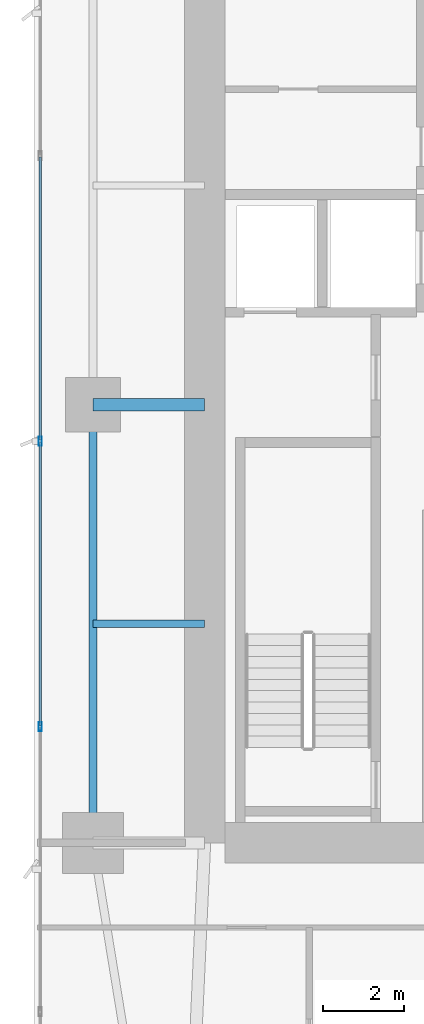
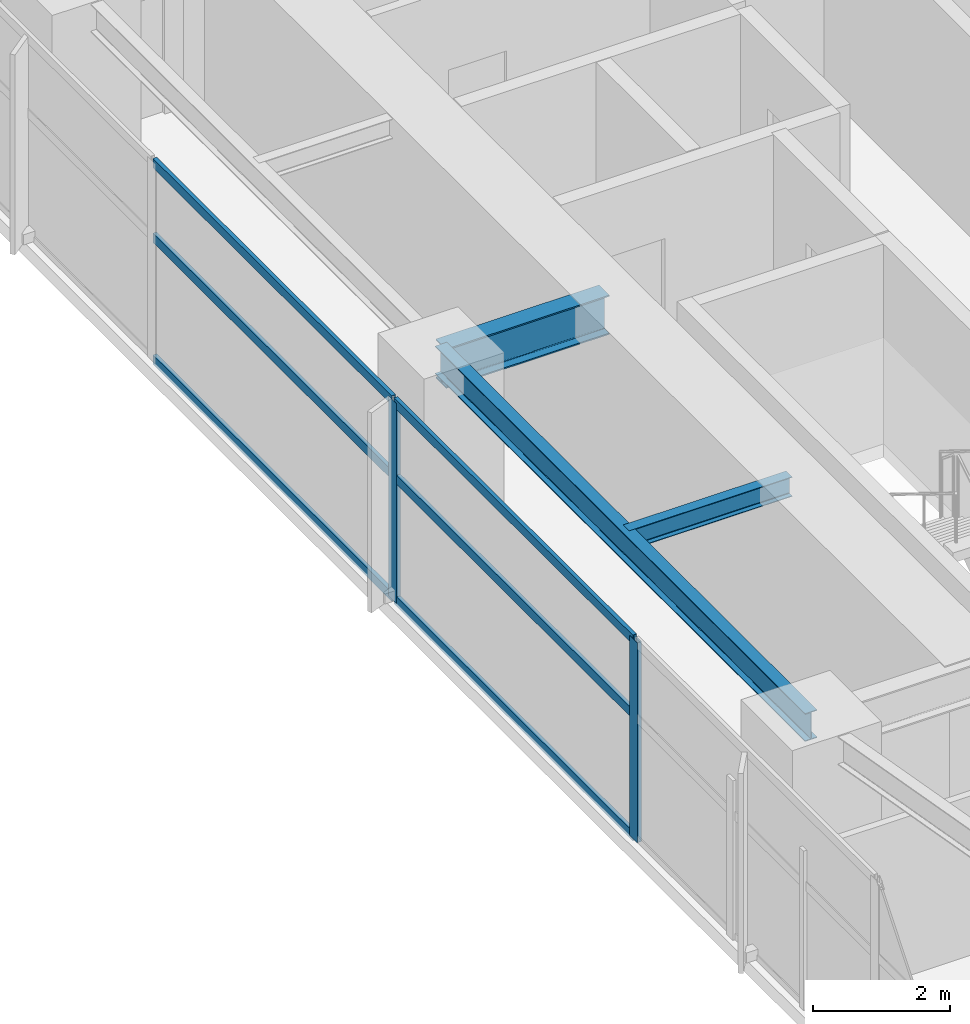
# One storey, part 8 of 29: 8 members, 3 beams, 1 element without a shape of its own.
"""IFC4 building model written with IfcOpenShell, lengths in metres."""

from ifc_helpers import new_model, si_unit, direction, frame, origin, origin_2d, place, context, subcontext, project, spatial, hollow_rectangle, i_section, extrude, material, layer, layer_set, material_profile, profile_set, type_object, element, aggregate, save


model = new_model("IFC4")

# Units and contexts
model_context = context("Model", 3, precision=1e-05, world=origin(), true_north=direction((0.0, 1.0)))
body_context = subcontext(model_context, "Body", "Model", "MODEL_VIEW")
ifc_project = project(units=[si_unit("LENGTHUNIT", "METRE"), si_unit("AREAUNIT", "SQUARE_METRE"), si_unit("VOLUMEUNIT", "CUBIC_METRE"), si_unit("PLANEANGLEUNIT", "RADIAN"), si_unit("MASSUNIT", "GRAM", prefix="KILO")], contexts=[model_context])

# Site, building, storey
site_placement = place(None, origin())
site = spatial("IfcSite", under=ifc_project, at=site_placement, CompositionType="ELEMENT")
building_placement = place(site_placement, origin())
building = spatial("IfcBuilding", under=site, at=building_placement, Name="Calvorn Quay Hotel", CompositionType="ELEMENT")
storey_placement = place(building_placement, frame((0.0, 0.0, 66.0)))
storey = spatial("IfcBuildingStorey", under=building, at=storey_placement, Name="L15", CompositionType="ELEMENT", Elevation=66.0)

# Beams
ifc_material_1 = material(Name="Steel Q390GJC", Category="steel")
ifc_material_profile_1 = material_profile(ifc_material_1, i_section(OverallWidth=0.300048828125, OverallDepth=0.699951171875, WebThickness=0.012939453125, FlangeThickness=0.02392578125, FilletRadius=0.02392578125, at=origin_2d()), Name="HN700x300x13x24")
ifc_profile_set_1 = profile_set([ifc_material_profile_1], Name="Steel Q390GJC")
beam_type_1 = type_object("IfcBeamType", Name="BM-GIRD-MAIN", PredefinedType="BEAM", material=ifc_profile_set_1)
beam_1_placement = place(storey_placement, frame((1.449951171875, 27.60009765625, 3.18994140625), z_axis=(1.0, 0.0, 0.0), x_axis=(0.0, 1.0, 0.0)))
element("IfcBeam", 1, at=beam_1_placement, inside=storey, type_object=beam_type_1, Name="Beam BG-L15-W2", PredefinedType="BEAM", context=body_context, shape_type="SweptSolid", body=[
    extrude(i_section(OverallWidth=0.300048828125, OverallDepth=0.699951171875, WebThickness=0.012939453125, FlangeThickness=0.02392578125, FilletRadius=0.02392578125, at=origin_2d()), origin(), (0.0, 0.0, 1.0), 2.75),
])
ifc_material_2 = material(Name="Steel Q355B", Category="steel")
ifc_material_profile_2 = material_profile(ifc_material_2, i_section(OverallWidth=0.175048828125, OverallDepth=0.35009765625, WebThickness=0.007080078125, FlangeThickness=0.010986328125, FilletRadius=0.013916015625, at=origin_2d()), Name="HN350x175x7x11")
ifc_profile_set_2 = profile_set([ifc_material_profile_2], Name="Steel Q355B")
beam_type_2 = type_object("IfcBeamType", Name="BM-JOIST-SEC", PredefinedType="JOIST", material=ifc_profile_set_2)
beam_2_placement = place(storey_placement, frame((1.449951171875, 22.199951171875, 3.364990234375), z_axis=(1.0, 0.0, 0.0), x_axis=(0.0, 1.0, 0.0)))
element("IfcBeam", 2, at=beam_2_placement, inside=storey, type_object=beam_type_2, Name="Beam BJ-L15-W3", PredefinedType="JOIST", context=body_context, shape_type="SweptSolid", body=[
    extrude(i_section(OverallWidth=0.175048828125, OverallDepth=0.35009765625, WebThickness=0.007080078125, FlangeThickness=0.010986328125, FilletRadius=0.013916015625, at=origin_2d()), origin(), (0.0, 0.0, 1.0), 2.75),
])
ifc_material_3 = material(Name="Steel Q355B", Category="steel")
ifc_material_profile_3 = material_profile(ifc_material_3, i_section(OverallWidth=0.199951171875, OverallDepth=0.5, WebThickness=0.010009765625, FlangeThickness=0.01611328125, FilletRadius=0.01611328125, at=origin_2d()), Name="HN500x200x10x16")
ifc_profile_set_3 = profile_set([ifc_material_profile_3], Name="Steel Q355B")
beam_type_3 = type_object("IfcBeamType", Name="BM-SPANDREL-Z1", PredefinedType="SPANDREL", material=ifc_profile_set_3)
beam_3_placement = place(storey_placement, frame((1.449951171875, 16.800048828125, 3.2900390625), z_axis=(0.0, 1.0, 0.0), x_axis=(-1.0, 0.0, 0.0)))
element("IfcBeam", 3, at=beam_3_placement, inside=storey, type_object=beam_type_3, Name="Beam BSP-L15-W2", PredefinedType="SPANDREL", context=body_context, shape_type="SweptSolid", body=[
    extrude(i_section(OverallWidth=0.199951171875, OverallDepth=0.5, WebThickness=0.010009765625, FlangeThickness=0.01611328125, FilletRadius=0.01611328125, at=origin_2d()), origin(), (0.0, 0.0, 1.0), 10.800048828125),
])

# Curtain wall, members
ifc_material_4 = material(Name="Pale Anodised Aluminium and Low-E Glass", Category="aluminium")
ifc_layer = layer(ifc_material_4, 0.219970703125)
ifc_layer_set = layer_set([ifc_layer], Name="CW-SYS-Z1")
curtain_wall_type = type_object("IfcCurtainWallType", Name="CW-SYS-Z1", PredefinedType="NOTDEFINED", material=ifc_layer_set)
curtain_wall_placement = place(storey_placement, origin())
curtain_wall = element("IfcCurtainWall", 4, at=curtain_wall_placement, inside=storey, type_object=curtain_wall_type, Name="Tower West Curtain Wall (L15)", PredefinedType="NOTDEFINED")
ifc_material_5 = material(Name="Pale Anodised Aluminium 6063-T6", Category="aluminium")
ifc_material_profile_4 = material_profile(ifc_material_5, hollow_rectangle(XDim=0.074951171875, YDim=0.219970703125, WallThickness=0.00439453125, at=origin_2d()), Name="ALU-M220x75x4.5")
ifc_profile_set_4 = profile_set([ifc_material_profile_4], Name="Pale Anodised Aluminium 6063-T6")
member_type_1 = type_object("IfcMemberType", Name="CW-SYS-Z1-MUL", PredefinedType="MULLION", material=ifc_profile_set_4)
member_1_placement = place(storey_placement, frame((0.14990234375, 19.666748046875, 0.0), z_axis=(0.0, 0.0, 1.0), x_axis=(-1.0, 0.0, 0.0)))
member_1 = element("IfcMember", 5, at=member_1_placement, type_object=member_type_1, Name="CW-L15-W mullion 3", PredefinedType="MULLION", context=body_context, shape_type="SweptSolid", body=[
    extrude(hollow_rectangle(XDim=0.074951171875, YDim=0.219970703125, WallThickness=0.00439453125, at=origin_2d()), origin(), (0.0, 0.0, 1.0), 3.56005859375),
])
member_2_placement = place(storey_placement, frame((0.14990234375, 26.699951171875, 0.0), z_axis=(0.0, 0.0, 1.0), x_axis=(-1.0, 0.0, 0.0)))
member_2 = element("IfcMember", 6, at=member_2_placement, type_object=member_type_1, Name="CW-L15-W mullion 4", PredefinedType="MULLION", context=body_context, shape_type="SweptSolid", body=[
    extrude(hollow_rectangle(XDim=0.074951171875, YDim=0.219970703125, WallThickness=0.00439453125, at=origin_2d()), origin(), (0.0, 0.0, 1.0), 3.56005859375),
])
ifc_material_6 = material(Name="Pale Anodised Aluminium 6063-T6", Category="aluminium")
ifc_material_profile_5 = material_profile(ifc_material_6, hollow_rectangle(XDim=0.06494140625, YDim=0.1650390625, WallThickness=0.00341796875, at=origin_2d()), Name="ALU-T165x65x3.5")
ifc_profile_set_5 = profile_set([ifc_material_profile_5], Name="Pale Anodised Aluminium 6063-T6")
member_type_2 = type_object("IfcMemberType", Name="CW-SYS-Z1-TRN", PredefinedType="USERDEFINED", material=ifc_profile_set_5)
member_3_placement = place(storey_placement, frame((0.14990234375, 19.69677734375, 0.030029296875), z_axis=(0.0, 1.0, 0.0), x_axis=(-1.0, 0.0, 0.0)))
member_3 = element("IfcMember", 7, at=member_3_placement, type_object=member_type_2, Name="CW-L15-W transom 3.1", ObjectType="TRANSOM", PredefinedType="USERDEFINED", context=body_context, shape_type="SweptSolid", body=[
    extrude(hollow_rectangle(XDim=0.06494140625, YDim=0.1650390625, WallThickness=0.00341796875, at=origin_2d()), origin(), (0.0, 0.0, 1.0), 6.97314453125),
])
member_4_placement = place(storey_placement, frame((0.14990234375, 19.69677734375, 2.199951171875), z_axis=(0.0, 1.0, 0.0), x_axis=(-1.0, 0.0, 0.0)))
member_4 = element("IfcMember", 8, at=member_4_placement, type_object=member_type_2, Name="CW-L15-W transom 3.2", ObjectType="TRANSOM", PredefinedType="USERDEFINED", context=body_context, shape_type="SweptSolid", body=[
    extrude(hollow_rectangle(XDim=0.06494140625, YDim=0.1650390625, WallThickness=0.00341796875, at=origin_2d()), origin(), (0.0, 0.0, 1.0), 6.97314453125),
])
member_5_placement = place(storey_placement, frame((0.14990234375, 19.69677734375, 3.530029296875), z_axis=(0.0, 1.0, 0.0), x_axis=(-1.0, 0.0, 0.0)))
member_5 = element("IfcMember", 9, at=member_5_placement, type_object=member_type_2, Name="CW-L15-W transom 3.3", ObjectType="TRANSOM", PredefinedType="USERDEFINED", context=body_context, shape_type="SweptSolid", body=[
    extrude(hollow_rectangle(XDim=0.06494140625, YDim=0.1650390625, WallThickness=0.00341796875, at=origin_2d()), origin(), (0.0, 0.0, 1.0), 6.97314453125),
])
member_6_placement = place(storey_placement, frame((0.14990234375, 26.72998046875, 0.030029296875), z_axis=(0.0, 1.0, 0.0), x_axis=(-1.0, 0.0, 0.0)))
member_6 = element("IfcMember", 10, at=member_6_placement, type_object=member_type_2, Name="CW-L15-W transom 4.1", ObjectType="TRANSOM", PredefinedType="USERDEFINED", context=body_context, shape_type="SweptSolid", body=[
    extrude(hollow_rectangle(XDim=0.06494140625, YDim=0.1650390625, WallThickness=0.00341796875, at=origin_2d()), origin(), (0.0, 0.0, 1.0), 6.973388671875),
])
member_7_placement = place(storey_placement, frame((0.14990234375, 26.72998046875, 2.199951171875), z_axis=(0.0, 1.0, 0.0), x_axis=(-1.0, 0.0, 0.0)))
member_7 = element("IfcMember", 11, at=member_7_placement, type_object=member_type_2, Name="CW-L15-W transom 4.2", ObjectType="TRANSOM", PredefinedType="USERDEFINED", context=body_context, shape_type="SweptSolid", body=[
    extrude(hollow_rectangle(XDim=0.06494140625, YDim=0.1650390625, WallThickness=0.00341796875, at=origin_2d()), origin(), (0.0, 0.0, 1.0), 6.973388671875),
])
member_8_placement = place(storey_placement, frame((0.14990234375, 26.72998046875, 3.530029296875), z_axis=(0.0, 1.0, 0.0), x_axis=(-1.0, 0.0, 0.0)))
member_8 = element("IfcMember", 12, at=member_8_placement, type_object=member_type_2, Name="CW-L15-W transom 4.3", ObjectType="TRANSOM", PredefinedType="USERDEFINED", context=body_context, shape_type="SweptSolid", body=[
    extrude(hollow_rectangle(XDim=0.06494140625, YDim=0.1650390625, WallThickness=0.00341796875, at=origin_2d()), origin(), (0.0, 0.0, 1.0), 6.973388671875),
])
aggregate(curtain_wall, [member_1, member_2, member_3, member_4, member_5, member_6, member_7, member_8])

save(model, "model.ifc")
